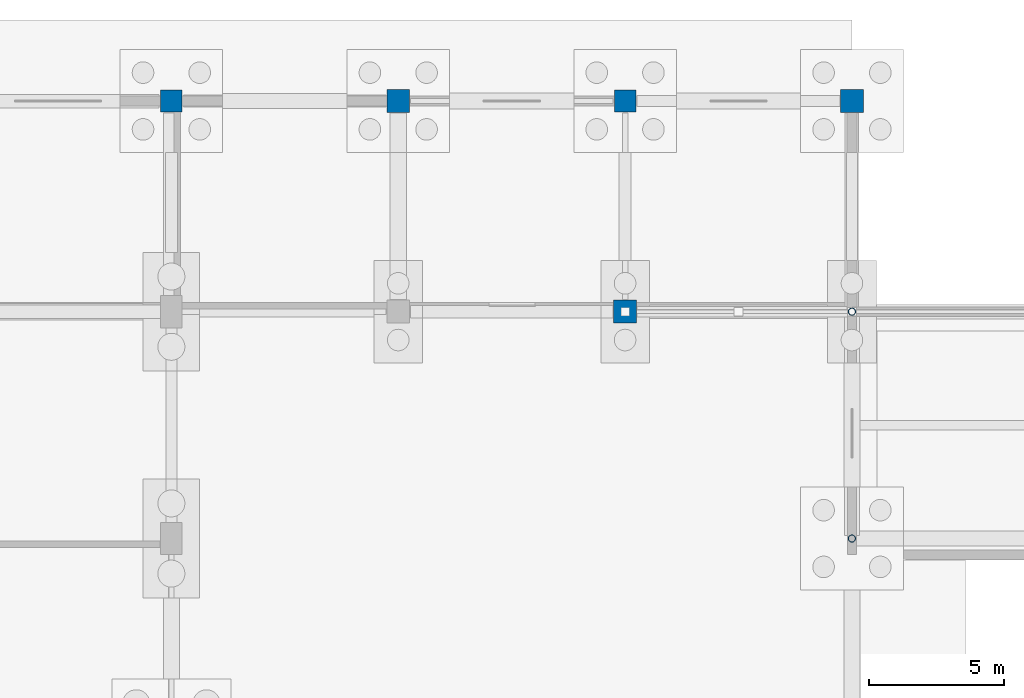
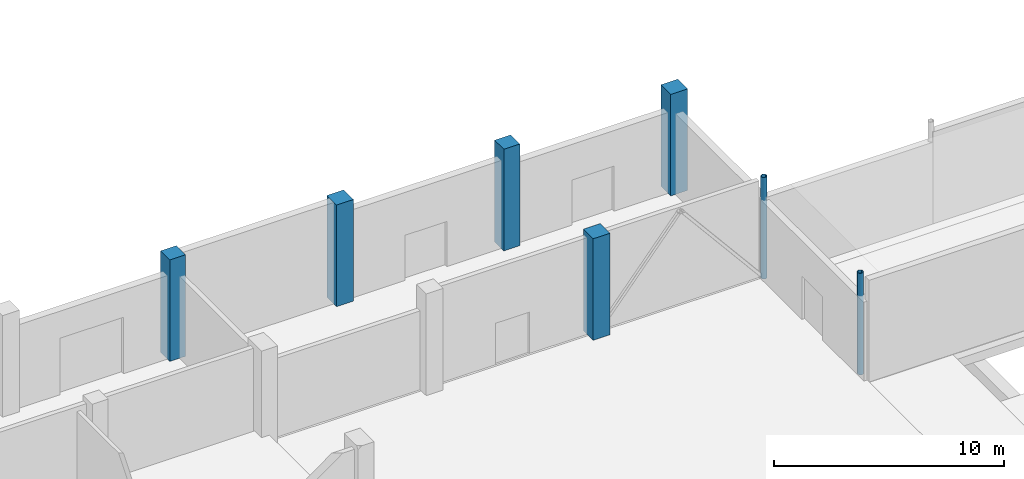
# One storey, part 15 of 82: 7 columns.
"""IFC4 building model written with IfcOpenShell, lengths in metres."""

from ifc_helpers import new_model, si_unit, derived_unit, direction, frame, origin, origin_2d, place, context, subcontext, project, spatial, rectangle, hollow_circle, extrude, material, material_profile, profile_set, type_object, element, save


model = new_model("IFC4")

# Units and contexts
model_context = context("Model", 3, precision=1e-05, world=origin(), true_north=direction((0.0, 1.0)))
body_context = subcontext(model_context, "Body", "Model", "MODEL_VIEW")
ifc_project = project(units=[si_unit("LENGTHUNIT", "METRE"), si_unit("AREAUNIT", "SQUARE_METRE"), si_unit("VOLUMEUNIT", "CUBIC_METRE"), si_unit("PLANEANGLEUNIT", "RADIAN"), si_unit("MASSUNIT", "GRAM", prefix="KILO"), derived_unit("THERMALTRANSMITTANCEUNIT", [(si_unit("POWERUNIT", "WATT"), 1), (si_unit("LENGTHUNIT", "METRE"), -2), (si_unit("THERMODYNAMICTEMPERATUREUNIT", "KELVIN"), -1)])], contexts=[model_context])

# Site, building, storey
site_placement = place(None, origin())
site = spatial("IfcSite", under=ifc_project, at=site_placement, CompositionType="ELEMENT")
building_placement = place(site_placement, origin())
building = spatial("IfcBuilding", under=site, at=building_placement, Name="Barrovel Congress Hotel", CompositionType="ELEMENT")
storey_placement = place(building_placement, origin())
storey = spatial("IfcBuildingStorey", under=building, at=storey_placement, Name="L00", CompositionType="ELEMENT", Elevation=0.0)

# Columns
ifc_material_1 = material(Name="Concrete C40", Category="concrete")
ifc_material_profile_1 = material_profile(ifc_material_1, rectangle(XDim=0.800048828125, YDim=0.800048828125, at=origin_2d()), Name="RC800x800")
ifc_profile_set_1 = profile_set([ifc_material_profile_1], Name="Concrete C40")
column_type_1 = type_object("IfcColumnType", Name="COL-RC800x800", PredefinedType="COLUMN", material=ifc_profile_set_1)
for number, where, z_axis, x_axis, name in (
    (1, (33.60009765625, 112.800048828125, 0.0), (0.0, 0.0, 1.0), (1.0, 0.0, 0.0), "COL:L00:33.6:112.8"),
    (2, (50.39990234375, 112.800048828125, 0.0), (0.0, 0.0, 1.0), (1.0, 0.0, 0.0), "COL:L00:50.4:112.8"),
):
    element("IfcColumn", number, at=place(storey_placement, frame(where, z_axis=z_axis, x_axis=x_axis)), inside=storey, type_object=column_type_1, Name=name, PredefinedType="COLUMN", context=body_context, shape_type="SweptSolid", body=[
        extrude(rectangle(XDim=0.800048828125, YDim=0.800048828125, at=origin_2d()), origin(), (0.0, 0.0, 1.0), 5.39990234375),
    ])
ifc_material_profile_2 = material_profile(ifc_material_1, rectangle(XDim=0.85009765625, YDim=0.85009765625, at=origin_2d()), Name="RC850x850")
ifc_profile_set_2 = profile_set([ifc_material_profile_2], Name="Concrete C40")
column_type_2 = type_object("IfcColumnType", Name="COL-RC850x850", PredefinedType="COLUMN", material=ifc_profile_set_2)
for number, where, z_axis, x_axis, name in (
    (3, (42.0, 112.800048828125, 0.0), (0.0, 0.0, 1.0), (1.0, 0.0, 0.0), "COL:L00:42.0:112.8"),
    (4, (50.39990234375, 105.0, 0.0), (0.0, 0.0, 1.0), (1.0, 0.0, 0.0), "COL:L00:50.4:105.0"),
    (5, (58.800048828125, 112.800048828125, 0.0), (0.0, 0.0, 1.0), (1.0, 0.0, 0.0), "COL:L00:58.8:112.8"),
):
    element("IfcColumn", number, at=place(storey_placement, frame(where, z_axis=z_axis, x_axis=x_axis)), inside=storey, type_object=column_type_2, Name=name, PredefinedType="COLUMN", context=body_context, shape_type="SweptSolid", body=[
        extrude(rectangle(XDim=0.85009765625, YDim=0.85009765625, at=origin_2d()), origin(), (0.0, 0.0, 1.0), 5.39990234375),
    ])
ifc_material_2 = material(Name="Steel ASTM A500 Grade C", Category="steel")
ifc_material_profile_3 = material_profile(ifc_material_2, hollow_circle(Radius=0.136474609375, WallThickness=0.01171875, at=origin_2d()), Name="CHS273.1x12.7")
ifc_profile_set_3 = profile_set([ifc_material_profile_3], Name="Steel ASTM A500 Grade C")
column_type_3 = type_object("IfcColumnType", Name="SCOL-CHS273.1x12.7", PredefinedType="COLUMN", material=ifc_profile_set_3)
for number, where, z_axis, x_axis, name in (
    (6, (58.800048828125, 96.60009765625, 0.0), (0.0, 0.0, 1.0), (1.0, 0.0, 0.0), "COL:L00:58.8:96.6"),
    (7, (58.800048828125, 105.0, 0.0), (0.0, 0.0, 1.0), (1.0, 0.0, 0.0), "COL:L00:58.8:105.0"),
):
    element("IfcColumn", number, at=place(storey_placement, frame(where, z_axis=z_axis, x_axis=x_axis)), inside=storey, type_object=column_type_3, Name=name, PredefinedType="COLUMN", context=body_context, shape_type="SweptSolid", body=[
        extrude(hollow_circle(Radius=0.136474609375, WallThickness=0.01171875, at=origin_2d()), origin(), (0.0, 0.0, 1.0), 5.39990234375),
    ])

save(model, "model.ifc")
